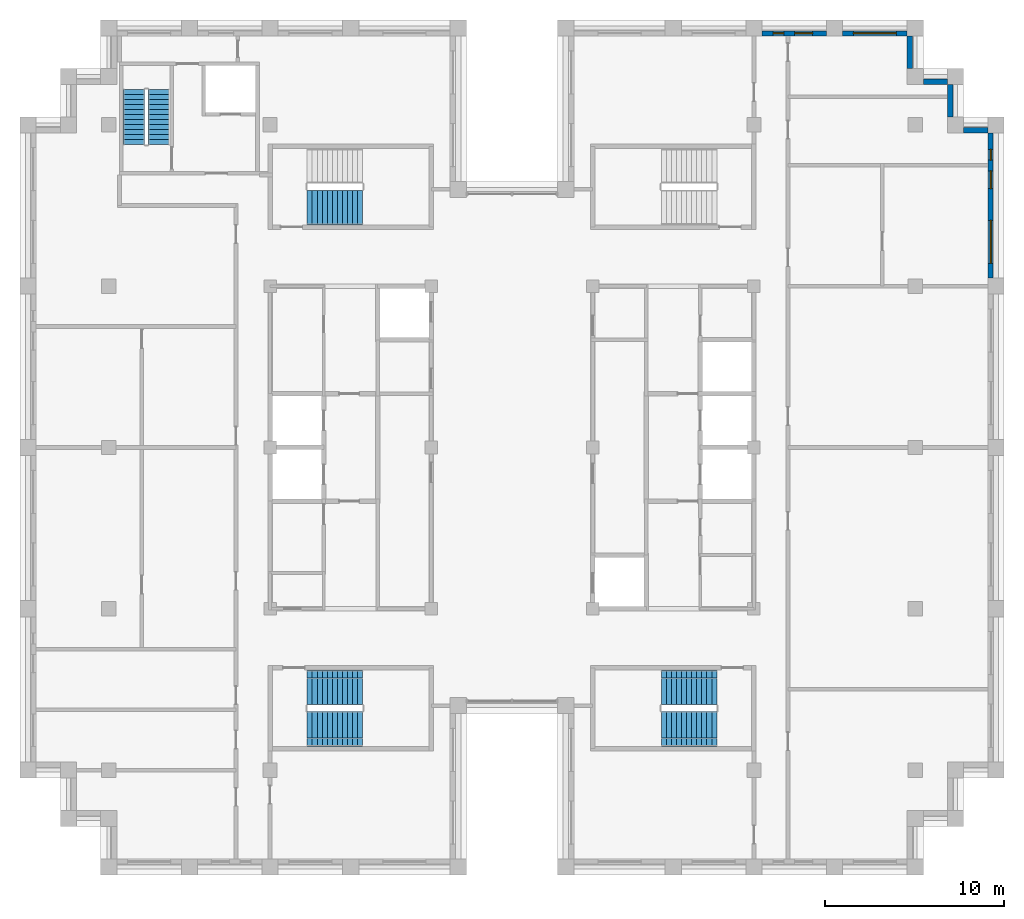
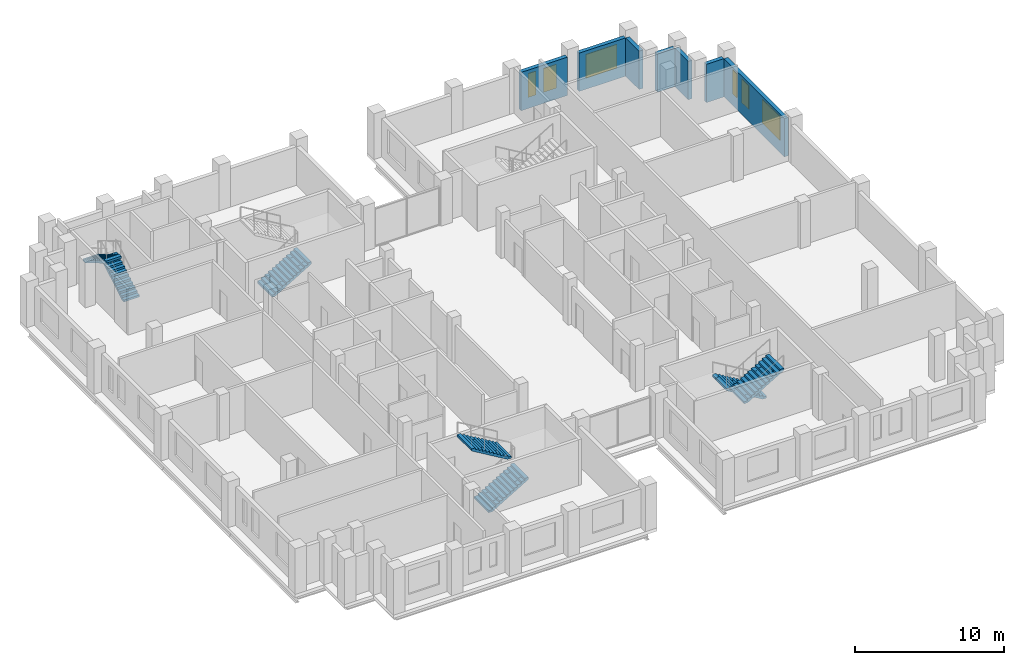
# One storey, part 11 of 13: 7 stair flights, 7 walls, 6 windows, 6 openings, 4 elements without a shape of their own.
"""IFC4 building model written with IfcOpenShell, lengths in metres."""

from ifc_helpers import new_model, si_unit, direction, frame, frame_2d, origin, place, context, subcontext, project, spatial, polyline, rectangle, outline, extrude, material, layer, layer_set, type_object, element, fill, aggregate, save


model = new_model("IFC4")

# Units and contexts
model_context = context("Model", 3, precision=1e-05, world=origin(), true_north=direction((0.0, 1.0)))
body_context = subcontext(model_context, "Body", "Model", "MODEL_VIEW")
ifc_project = project(units=[si_unit("LENGTHUNIT", "METRE"), si_unit("AREAUNIT", "SQUARE_METRE"), si_unit("VOLUMEUNIT", "CUBIC_METRE"), si_unit("PLANEANGLEUNIT", "RADIAN"), si_unit("MASSUNIT", "GRAM", prefix="KILO")], contexts=[model_context])

# Site, building, storey
site_placement = place(None, origin())
site = spatial("IfcSite", under=ifc_project, at=site_placement, CompositionType="ELEMENT")
building_placement = place(site_placement, origin())
building = spatial("IfcBuilding", under=site, at=building_placement, Name="Corbelhall Arena Tower", CompositionType="ELEMENT")
storey_placement = place(building_placement, frame((0.0, 0.0, 308.0)))
storey = spatial("IfcBuildingStorey", under=building, at=storey_placement, Name="L67", CompositionType="ELEMENT", Elevation=308.0)

# Wall, openings, windows
ifc_material_1 = material(Name="Precast concrete C40/50 with granite facing", Category="masonry")
ifc_layer = layer(ifc_material_1, 0.300048828125)
ifc_layer_set = layer_set([ifc_layer], Name="EV-IW1 Infill panel 300")
wall_type = type_object("IfcWallType", Name="EV-IW1 Infill panel 300", PredefinedType="SOLIDWALL", material=ifc_layer_set)
wall_1_placement = place(storey_placement, frame((26.699951171875, 9.449951171875, 0.0), z_axis=(0.0, 0.0, 1.0), x_axis=(0.0, 1.0, 0.0)))
wall_1 = element("IfcWall", 1, at=wall_1_placement, inside=storey, type_object=wall_type, Name="Infill panel IW1", PredefinedType="SOLIDWALL", context=body_context, shape_type="SweptSolid", body=[
    extrude(rectangle(XDim=8.10009765625, YDim=0.300048828125, at=frame_2d((4.050048828125, 0.0))), origin(), (0.0, 0.0, 1.0), 3.139892578125),
])
opening_1_placement = place(wall_1_placement, frame((0.824951171875, 0.0, 0.800048828125)))
opening_1 = element("IfcOpeningElement", 2, at=opening_1_placement, cuts=wall_1, Name="Opening WN1", PredefinedType="OPENING", context=body_context, shape_type="SweptSolid", body=[
    extrude(rectangle(XDim=2.39990234375, YDim=1.949951171875, at=frame_2d((1.199951171875, 0.97509765625))), frame((0.0, 0.14990234375, 0.0), z_axis=(0.0, -1.0, 0.0), x_axis=(1.0, 0.0, 0.0)), (0.0, 0.0, 1.0), 0.300048828125),
])
opening_2_placement = place(wall_1_placement, frame((4.987548828125, 0.0, 0.800048828125)))
opening_2 = element("IfcOpeningElement", 3, at=opening_2_placement, cuts=wall_1, Name="Opening WN6", PredefinedType="OPENING", context=body_context, shape_type="SweptSolid", body=[
    extrude(rectangle(XDim=1.0, YDim=1.949951171875, at=frame_2d((0.5, 0.97509765625))), frame((0.0, 0.14990234375, 0.0), z_axis=(0.0, -1.0, 0.0), x_axis=(1.0, 0.0, 0.0)), (0.0, 0.0, 1.0), 0.300048828125),
])
opening_3_placement = place(wall_1_placement, frame((6.58740234375, 0.0, 0.800048828125)))
opening_3 = element("IfcOpeningElement", 4, at=opening_3_placement, cuts=wall_1, Name="Opening WN5", PredefinedType="OPENING", context=body_context, shape_type="SweptSolid", body=[
    extrude(rectangle(XDim=0.60009765625, YDim=1.949951171875, at=frame_2d((0.300048828125, 0.97509765625))), frame((0.0, 0.14990234375, 0.0), z_axis=(0.0, -1.0, 0.0), x_axis=(1.0, 0.0, 0.0)), (0.0, 0.0, 1.0), 0.300048828125),
])
ifc_material_2 = material(Name="Aluminium black anodised", Category="aluminium")
window_type_1 = type_object("IfcWindowType", Name="EV-WN1 Office window", PartitioningType="SINGLE_PANEL", PredefinedType="WINDOW", material=ifc_material_2)
window_1_placement = place(opening_1_placement, origin())
window_1 = element("IfcWindow", 5, at=window_1_placement, inside=storey, type_object=window_type_1, Name="Window WN1", OverallHeight=1.949951171875, OverallWidth=2.39990234375, PartitioningType="SINGLE_PANEL", PredefinedType="WINDOW", context=body_context, shape_type="SweptSolid", body=[
    extrude(rectangle(XDim=2.39990234375, YDim=1.949951171875, at=frame_2d((1.199951171875, 0.97509765625))), frame((0.0, 0.030029296875, 0.0), z_axis=(0.0, -1.0, 0.0), x_axis=(1.0, 0.0, 0.0)), (0.0, 0.0, 1.0), 0.06005859375),
])
fill(opening_1, window_1)
window_type_2 = type_object("IfcWindowType", Name="EV-WN5 Office window 600", PartitioningType="SINGLE_PANEL", PredefinedType="WINDOW", material=ifc_material_2)
window_2_placement = place(opening_3_placement, origin())
window_2 = element("IfcWindow", 6, at=window_2_placement, inside=storey, type_object=window_type_2, Name="Window WN5", OverallHeight=1.949951171875, OverallWidth=0.60009765625, PartitioningType="SINGLE_PANEL", PredefinedType="WINDOW", context=body_context, shape_type="SweptSolid", body=[
    extrude(rectangle(XDim=0.60009765625, YDim=1.949951171875, at=frame_2d((0.300048828125, 0.97509765625))), frame((0.0, 0.030029296875, 0.0), z_axis=(0.0, -1.0, 0.0), x_axis=(1.0, 0.0, 0.0)), (0.0, 0.0, 1.0), 0.06005859375),
])
fill(opening_3, window_2)
window_type_3 = type_object("IfcWindowType", Name="EV-WN6 Office window 1000", PartitioningType="SINGLE_PANEL", PredefinedType="WINDOW", material=ifc_material_2)
window_3_placement = place(opening_2_placement, origin())
window_3 = element("IfcWindow", 7, at=window_3_placement, inside=storey, type_object=window_type_3, Name="Window WN6", OverallHeight=1.949951171875, OverallWidth=1.0, PartitioningType="SINGLE_PANEL", PredefinedType="WINDOW", context=body_context, shape_type="SweptSolid", body=[
    extrude(rectangle(XDim=1.0, YDim=1.949951171875, at=frame_2d((0.5, 0.97509765625))), frame((0.0, 0.030029296875, 0.0), z_axis=(0.0, -1.0, 0.0), x_axis=(1.0, 0.0, 0.0)), (0.0, 0.0, 1.0), 0.06005859375),
])
fill(opening_2, window_3)

# Walls
wall_2_placement = place(storey_placement, frame((26.550048828125, 17.699951171875, 0.0), z_axis=(0.0, 0.0, 1.0), x_axis=(-1.0, 0.0, 0.0)))
element("IfcWall", 8, at=wall_2_placement, inside=storey, type_object=wall_type, Name="Infill panel IW1", PredefinedType="SOLIDWALL", context=body_context, shape_type="SweptSolid", body=[
    extrude(rectangle(XDim=1.35009765625, YDim=0.300048828125, at=frame_2d((0.675048828125, 0.0))), origin(), (0.0, 0.0, 1.0), 3.139892578125),
])
wall_3_placement = place(storey_placement, frame((24.449951171875, 18.449951171875, 0.0), z_axis=(0.0, 0.0, 1.0), x_axis=(0.0, 1.0, 0.0)))
element("IfcWall", 9, at=wall_3_placement, inside=storey, type_object=wall_type, Name="Infill panel IW1", PredefinedType="SOLIDWALL", context=body_context, shape_type="SweptSolid", body=[
    extrude(rectangle(XDim=1.800048828125, YDim=0.300048828125, at=frame_2d((0.89990234375, 0.0))), origin(), (0.0, 0.0, 1.0), 3.139892578125),
])
wall_4_placement = place(storey_placement, frame((24.300048828125, 20.39990234375, 0.0), z_axis=(0.0, 0.0, 1.0), x_axis=(-1.0, 0.0, 0.0)))
element("IfcWall", 10, at=wall_4_placement, inside=storey, type_object=wall_type, Name="Infill panel IW1", PredefinedType="SOLIDWALL", context=body_context, shape_type="SweptSolid", body=[
    extrude(rectangle(XDim=1.35009765625, YDim=0.300048828125, at=frame_2d((0.675048828125, 0.0))), origin(), (0.0, 0.0, 1.0), 3.139892578125),
])
wall_5_placement = place(storey_placement, frame((22.199951171875, 21.14990234375, 0.0), z_axis=(0.0, 0.0, 1.0), x_axis=(0.0, 1.0, 0.0)))
element("IfcWall", 11, at=wall_5_placement, inside=storey, type_object=wall_type, Name="Infill panel IW1", PredefinedType="SOLIDWALL", context=body_context, shape_type="SweptSolid", body=[
    extrude(rectangle(XDim=1.800048828125, YDim=0.300048828125, at=frame_2d((0.89990234375, 0.0))), origin(), (0.0, 0.0, 1.0), 3.139892578125),
])

# Wall, opening, window
wall_6_placement = place(storey_placement, frame((22.050048828125, 23.10009765625, 0.0), z_axis=(0.0, 0.0, 1.0), x_axis=(-1.0, 0.0, 0.0)))
wall_6 = element("IfcWall", 12, at=wall_6_placement, inside=storey, type_object=wall_type, Name="Infill panel IW1", PredefinedType="SOLIDWALL", context=body_context, shape_type="SweptSolid", body=[
    extrude(rectangle(XDim=3.60009765625, YDim=0.300048828125, at=frame_2d((1.800048828125, 0.0))), origin(), (0.0, 0.0, 1.0), 3.139892578125),
])
opening_4_placement = place(wall_6_placement, frame((0.60009765625, 0.0, 0.800048828125)))
opening_4 = element("IfcOpeningElement", 13, at=opening_4_placement, cuts=wall_6, Name="Opening WN1", PredefinedType="OPENING", context=body_context, shape_type="SweptSolid", body=[
    extrude(rectangle(XDim=2.39990234375, YDim=1.949951171875, at=frame_2d((1.199951171875, 0.97509765625))), frame((0.0, 0.14990234375, 0.0), z_axis=(0.0, -1.0, 0.0), x_axis=(1.0, 0.0, 0.0)), (0.0, 0.0, 1.0), 0.300048828125),
])
window_4_placement = place(opening_4_placement, origin())
window_4 = element("IfcWindow", 14, at=window_4_placement, inside=storey, type_object=window_type_1, Name="Window WN1", OverallHeight=1.949951171875, OverallWidth=2.39990234375, PartitioningType="SINGLE_PANEL", PredefinedType="WINDOW", context=body_context, shape_type="SweptSolid", body=[
    extrude(rectangle(XDim=2.39990234375, YDim=1.949951171875, at=frame_2d((1.199951171875, 0.97509765625))), frame((0.0, 0.030029296875, 0.0), z_axis=(0.0, -1.0, 0.0), x_axis=(1.0, 0.0, 0.0)), (0.0, 0.0, 1.0), 0.06005859375),
])
fill(opening_4, window_4)

# Wall, openings, windows
wall_7_placement = place(storey_placement, frame((17.550048828125, 23.10009765625, 0.0), z_axis=(0.0, 0.0, 1.0), x_axis=(-1.0, 0.0, 0.0)))
wall_7 = element("IfcWall", 15, at=wall_7_placement, inside=storey, type_object=wall_type, Name="Infill panel IW1", PredefinedType="SOLIDWALL", context=body_context, shape_type="SweptSolid", body=[
    extrude(rectangle(XDim=3.60009765625, YDim=0.300048828125, at=frame_2d((1.800048828125, 0.0))), origin(), (0.0, 0.0, 1.0), 3.139892578125),
])
opening_5_placement = place(wall_7_placement, frame((0.77490234375, 0.0, 0.800048828125)))
opening_5 = element("IfcOpeningElement", 16, at=opening_5_placement, cuts=wall_7, Name="Opening WN6", PredefinedType="OPENING", context=body_context, shape_type="SweptSolid", body=[
    extrude(rectangle(XDim=1.0, YDim=1.949951171875, at=frame_2d((0.5, 0.97509765625))), frame((0.0, 0.14990234375, 0.0), z_axis=(0.0, -1.0, 0.0), x_axis=(1.0, 0.0, 0.0)), (0.0, 0.0, 1.0), 0.300048828125),
])
opening_6_placement = place(wall_7_placement, frame((2.375, 0.0, 0.800048828125)))
opening_6 = element("IfcOpeningElement", 17, at=opening_6_placement, cuts=wall_7, Name="Opening WN5", PredefinedType="OPENING", context=body_context, shape_type="SweptSolid", body=[
    extrude(rectangle(XDim=0.60009765625, YDim=1.949951171875, at=frame_2d((0.300048828125, 0.97509765625))), frame((0.0, 0.14990234375, 0.0), z_axis=(0.0, -1.0, 0.0), x_axis=(1.0, 0.0, 0.0)), (0.0, 0.0, 1.0), 0.300048828125),
])
window_5_placement = place(opening_6_placement, origin())
window_5 = element("IfcWindow", 18, at=window_5_placement, inside=storey, type_object=window_type_2, Name="Window WN5", OverallHeight=1.949951171875, OverallWidth=0.60009765625, PartitioningType="SINGLE_PANEL", PredefinedType="WINDOW", context=body_context, shape_type="SweptSolid", body=[
    extrude(rectangle(XDim=0.60009765625, YDim=1.949951171875, at=frame_2d((0.300048828125, 0.97509765625))), frame((0.0, 0.030029296875, 0.0), z_axis=(0.0, -1.0, 0.0), x_axis=(1.0, 0.0, 0.0)), (0.0, 0.0, 1.0), 0.06005859375),
])
fill(opening_6, window_5)
window_6_placement = place(opening_5_placement, origin())
window_6 = element("IfcWindow", 19, at=window_6_placement, inside=storey, type_object=window_type_3, Name="Window WN6", OverallHeight=1.949951171875, OverallWidth=1.0, PartitioningType="SINGLE_PANEL", PredefinedType="WINDOW", context=body_context, shape_type="SweptSolid", body=[
    extrude(rectangle(XDim=1.0, YDim=1.949951171875, at=frame_2d((0.5, 0.97509765625))), frame((0.0, 0.030029296875, 0.0), z_axis=(0.0, -1.0, 0.0), x_axis=(1.0, 0.0, 0.0)), (0.0, 0.0, 1.0), 0.06005859375),
])
fill(opening_5, window_6)

# Stair, stair flight
ifc_material_3 = material(Name="Concrete C40/50", Category="concrete")
stair_type = type_object("IfcStairType", Name="IN-ST-TOWER", PredefinedType="HALF_TURN_STAIR", material=ifc_material_3)
stair_1_placement = place(storey_placement, origin())
stair_1 = element("IfcStair", 20, at=stair_1_placement, inside=storey, type_object=stair_type, Name="L67 Exit stair ST1", PredefinedType="HALF_TURN_STAIR")
stair_flight_type = type_object("IfcStairFlightType", Name="IN-SFL-RC", PredefinedType="STRAIGHT", material=ifc_material_3)
stair_flight_1_placement = place(storey_placement, frame((-11.425048828125, 13.39990234375, 0.0), z_axis=(0.0, 0.0, 1.0), x_axis=(1.0, 0.0, 0.0)))
stair_flight_1 = element("IfcStairFlight", 21, at=stair_flight_1_placement, type_object=stair_flight_type, Name="ST1 flight 1", NumberOfRisers=12, NumberOfTreads=11, PredefinedType="STRAIGHT", RiserHeight=0.166666667, TreadLength=0.28, context=body_context, shape_type="SweptSolid", body=[
    extrude(outline(polyline([(0.0, 0.0), (0.0, 0.166748046875), (0.280029296875, 0.166748046875), (0.280029296875, 0.333251953125), (0.56005859375, 0.333251953125), (0.56005859375, 0.5), (0.840087890625, 0.5), (0.840087890625, 0.666748046875), (1.1201171875, 0.666748046875), (1.1201171875, 0.833251953125), (1.39990234375, 0.833251953125), (1.39990234375, 1.0), (1.679931640625, 1.0), (1.679931640625, 1.166748046875), (1.9599609375, 1.166748046875), (1.9599609375, 1.333251953125), (2.239990234375, 1.333251953125), (2.239990234375, 1.5), (2.52001953125, 1.5), (2.52001953125, 1.666748046875), (2.800048828125, 1.666748046875), (2.800048828125, 1.833251953125), (3.080078125, 1.833251953125), (3.080078125, 2.0), (3.080078125, 1.658935546875), (0.29296875, 0.0), (0.0, 0.0)])), frame((0.0, 0.97509765625, 0.0), z_axis=(0.0, -1.0, 0.0), x_axis=(1.0, 0.0, 0.0)), (0.0, 0.0, 1.0), 0.449951171875),
    extrude(outline(polyline([(0.0, 0.0), (0.0, 0.166748046875), (0.280029296875, 0.166748046875), (0.280029296875, 0.333251953125), (0.56005859375, 0.333251953125), (0.56005859375, 0.5), (0.840087890625, 0.5), (0.840087890625, 0.666748046875), (1.1201171875, 0.666748046875), (1.1201171875, 0.833251953125), (1.39990234375, 0.833251953125), (1.39990234375, 1.0), (1.679931640625, 1.0), (1.679931640625, 1.166748046875), (1.9599609375, 1.166748046875), (1.9599609375, 1.333251953125), (2.239990234375, 1.333251953125), (2.239990234375, 1.5), (2.52001953125, 1.5), (2.52001953125, 1.666748046875), (2.800048828125, 1.666748046875), (2.800048828125, 1.833251953125), (3.080078125, 1.833251953125), (3.080078125, 2.0), (3.080078125, 1.658935546875), (0.29296875, 0.0), (0.0, 0.0)])), frame((0.0, 0.52099609375, 0.0), z_axis=(0.0, -1.0, 0.0), x_axis=(1.0, 0.0, 0.0)), (0.0, 0.0, 1.0), 1.0419921875),
    extrude(outline(polyline([(0.0, 0.0), (0.0, 0.166748046875), (0.280029296875, 0.166748046875), (0.280029296875, 0.333251953125), (0.56005859375, 0.333251953125), (0.56005859375, 0.5), (0.840087890625, 0.5), (0.840087890625, 0.666748046875), (1.1201171875, 0.666748046875), (1.1201171875, 0.833251953125), (1.39990234375, 0.833251953125), (1.39990234375, 1.0), (1.679931640625, 1.0), (1.679931640625, 1.166748046875), (1.9599609375, 1.166748046875), (1.9599609375, 1.333251953125), (2.239990234375, 1.333251953125), (2.239990234375, 1.5), (2.52001953125, 1.5), (2.52001953125, 1.666748046875), (2.800048828125, 1.666748046875), (2.800048828125, 1.833251953125), (3.080078125, 1.833251953125), (3.080078125, 2.0), (3.080078125, 1.658935546875), (0.29296875, 0.0), (0.0, 0.0)])), frame((0.0, -0.52490234375, 0.0), z_axis=(0.0, -1.0, 0.0), x_axis=(1.0, 0.0, 0.0)), (0.0, 0.0, 1.0), 0.449951171875),
])
aggregate(stair_1, [stair_flight_1])

# Stair, stair flights
stair_2_placement = place(storey_placement, origin())
stair_2 = element("IfcStair", 22, at=stair_2_placement, inside=storey, type_object=stair_type, Name="L67 Exit stair ST2", PredefinedType="HALF_TURN_STAIR")
stair_flight_2_placement = place(storey_placement, frame((-11.425048828125, -15.699951171875, 0.0), z_axis=(0.0, 0.0, 1.0), x_axis=(1.0, 0.0, 0.0)))
stair_flight_2 = element("IfcStairFlight", 23, at=stair_flight_2_placement, type_object=stair_flight_type, Name="ST2 flight 1", NumberOfRisers=12, NumberOfTreads=11, PredefinedType="STRAIGHT", RiserHeight=0.166666667, TreadLength=0.28, context=body_context, shape_type="SweptSolid", body=[
    extrude(outline(polyline([(0.0, 0.0), (0.0, 0.166748046875), (0.280029296875, 0.166748046875), (0.280029296875, 0.333251953125), (0.56005859375, 0.333251953125), (0.56005859375, 0.5), (0.840087890625, 0.5), (0.840087890625, 0.666748046875), (1.1201171875, 0.666748046875), (1.1201171875, 0.833251953125), (1.39990234375, 0.833251953125), (1.39990234375, 1.0), (1.679931640625, 1.0), (1.679931640625, 1.166748046875), (1.9599609375, 1.166748046875), (1.9599609375, 1.333251953125), (2.239990234375, 1.333251953125), (2.239990234375, 1.5), (2.52001953125, 1.5), (2.52001953125, 1.666748046875), (2.800048828125, 1.666748046875), (2.800048828125, 1.833251953125), (3.080078125, 1.833251953125), (3.080078125, 2.0), (3.080078125, 1.658935546875), (0.29296875, 0.0), (0.0, 0.0)])), frame((0.0, 0.97509765625, 0.0), z_axis=(0.0, -1.0, 0.0), x_axis=(1.0, 0.0, 0.0)), (0.0, 0.0, 1.0), 0.449951171875),
    extrude(outline(polyline([(0.0, 0.0), (0.0, 0.166748046875), (0.280029296875, 0.166748046875), (0.280029296875, 0.333251953125), (0.56005859375, 0.333251953125), (0.56005859375, 0.5), (0.840087890625, 0.5), (0.840087890625, 0.666748046875), (1.1201171875, 0.666748046875), (1.1201171875, 0.833251953125), (1.39990234375, 0.833251953125), (1.39990234375, 1.0), (1.679931640625, 1.0), (1.679931640625, 1.166748046875), (1.9599609375, 1.166748046875), (1.9599609375, 1.333251953125), (2.239990234375, 1.333251953125), (2.239990234375, 1.5), (2.52001953125, 1.5), (2.52001953125, 1.666748046875), (2.800048828125, 1.666748046875), (2.800048828125, 1.833251953125), (3.080078125, 1.833251953125), (3.080078125, 2.0), (3.080078125, 1.658935546875), (0.29296875, 0.0), (0.0, 0.0)])), frame((0.0, 0.52099609375, 0.0), z_axis=(0.0, -1.0, 0.0), x_axis=(1.0, 0.0, 0.0)), (0.0, 0.0, 1.0), 1.0419921875),
    extrude(outline(polyline([(0.0, 0.0), (0.0, 0.166748046875), (0.280029296875, 0.166748046875), (0.280029296875, 0.333251953125), (0.56005859375, 0.333251953125), (0.56005859375, 0.5), (0.840087890625, 0.5), (0.840087890625, 0.666748046875), (1.1201171875, 0.666748046875), (1.1201171875, 0.833251953125), (1.39990234375, 0.833251953125), (1.39990234375, 1.0), (1.679931640625, 1.0), (1.679931640625, 1.166748046875), (1.9599609375, 1.166748046875), (1.9599609375, 1.333251953125), (2.239990234375, 1.333251953125), (2.239990234375, 1.5), (2.52001953125, 1.5), (2.52001953125, 1.666748046875), (2.800048828125, 1.666748046875), (2.800048828125, 1.833251953125), (3.080078125, 1.833251953125), (3.080078125, 2.0), (3.080078125, 1.658935546875), (0.29296875, 0.0), (0.0, 0.0)])), frame((0.0, -0.52490234375, 0.0), z_axis=(0.0, -1.0, 0.0), x_axis=(1.0, 0.0, 0.0)), (0.0, 0.0, 1.0), 0.449951171875),
])
stair_flight_3_placement = place(storey_placement, frame((-8.344970703125, -13.39990234375, 2.0), z_axis=(0.0, 0.0, 1.0), x_axis=(-1.0, 0.0, 0.0)))
stair_flight_3 = element("IfcStairFlight", 24, at=stair_flight_3_placement, type_object=stair_flight_type, Name="ST2 flight 2", NumberOfRisers=12, NumberOfTreads=11, PredefinedType="STRAIGHT", RiserHeight=0.166666667, TreadLength=0.28, context=body_context, shape_type="SweptSolid", body=[
    extrude(outline(polyline([(0.0, 0.0), (0.0, 0.166748046875), (0.280029296875, 0.166748046875), (0.280029296875, 0.333251953125), (0.56005859375, 0.333251953125), (0.56005859375, 0.5), (0.840087890625, 0.5), (0.840087890625, 0.666748046875), (1.1201171875, 0.666748046875), (1.1201171875, 0.833251953125), (1.39990234375, 0.833251953125), (1.39990234375, 1.0), (1.679931640625, 1.0), (1.679931640625, 1.166748046875), (1.9599609375, 1.166748046875), (1.9599609375, 1.333251953125), (2.239990234375, 1.333251953125), (2.239990234375, 1.5), (2.52001953125, 1.5), (2.52001953125, 1.666748046875), (2.800048828125, 1.666748046875), (2.800048828125, 1.833251953125), (3.080078125, 1.833251953125), (3.080078125, 2.0), (3.080078125, 1.658935546875), (0.29296875, 0.0), (0.0, 0.0)])), frame((0.0, 0.97509765625, 0.0), z_axis=(0.0, -1.0, 0.0), x_axis=(1.0, 0.0, 0.0)), (0.0, 0.0, 1.0), 0.449951171875),
    extrude(outline(polyline([(0.0, 0.0), (0.0, 0.166748046875), (0.280029296875, 0.166748046875), (0.280029296875, 0.333251953125), (0.56005859375, 0.333251953125), (0.56005859375, 0.5), (0.840087890625, 0.5), (0.840087890625, 0.666748046875), (1.1201171875, 0.666748046875), (1.1201171875, 0.833251953125), (1.39990234375, 0.833251953125), (1.39990234375, 1.0), (1.679931640625, 1.0), (1.679931640625, 1.166748046875), (1.9599609375, 1.166748046875), (1.9599609375, 1.333251953125), (2.239990234375, 1.333251953125), (2.239990234375, 1.5), (2.52001953125, 1.5), (2.52001953125, 1.666748046875), (2.800048828125, 1.666748046875), (2.800048828125, 1.833251953125), (3.080078125, 1.833251953125), (3.080078125, 2.0), (3.080078125, 1.658935546875), (0.29296875, 0.0), (0.0, 0.0)])), frame((0.0, 0.52099609375, 0.0), z_axis=(0.0, -1.0, 0.0), x_axis=(1.0, 0.0, 0.0)), (0.0, 0.0, 1.0), 1.0419921875),
    extrude(outline(polyline([(0.0, 0.0), (0.0, 0.166748046875), (0.280029296875, 0.166748046875), (0.280029296875, 0.333251953125), (0.56005859375, 0.333251953125), (0.56005859375, 0.5), (0.840087890625, 0.5), (0.840087890625, 0.666748046875), (1.1201171875, 0.666748046875), (1.1201171875, 0.833251953125), (1.39990234375, 0.833251953125), (1.39990234375, 1.0), (1.679931640625, 1.0), (1.679931640625, 1.166748046875), (1.9599609375, 1.166748046875), (1.9599609375, 1.333251953125), (2.239990234375, 1.333251953125), (2.239990234375, 1.5), (2.52001953125, 1.5), (2.52001953125, 1.666748046875), (2.800048828125, 1.666748046875), (2.800048828125, 1.833251953125), (3.080078125, 1.833251953125), (3.080078125, 2.0), (3.080078125, 1.658935546875), (0.29296875, 0.0), (0.0, 0.0)])), frame((0.0, -0.52490234375, 0.0), z_axis=(0.0, -1.0, 0.0), x_axis=(1.0, 0.0, 0.0)), (0.0, 0.0, 1.0), 0.449951171875),
])
aggregate(stair_2, [stair_flight_2, stair_flight_3])

stair_3_placement = place(storey_placement, origin())
stair_3 = element("IfcStair", 25, at=stair_3_placement, inside=storey, type_object=stair_type, Name="L67 Exit stair ST4", PredefinedType="HALF_TURN_STAIR")
stair_flight_4_placement = place(storey_placement, frame((11.425048828125, -13.39990234375, 0.0), z_axis=(0.0, 0.0, 1.0), x_axis=(-1.0, 0.0, 0.0)))
stair_flight_4 = element("IfcStairFlight", 26, at=stair_flight_4_placement, type_object=stair_flight_type, Name="ST4 flight 1", NumberOfRisers=12, NumberOfTreads=11, PredefinedType="STRAIGHT", RiserHeight=0.166666667, TreadLength=0.28, context=body_context, shape_type="SweptSolid", body=[
    extrude(outline(polyline([(0.0, 0.0), (0.0, 0.166748046875), (0.280029296875, 0.166748046875), (0.280029296875, 0.333251953125), (0.56005859375, 0.333251953125), (0.56005859375, 0.5), (0.840087890625, 0.5), (0.840087890625, 0.666748046875), (1.1201171875, 0.666748046875), (1.1201171875, 0.833251953125), (1.39990234375, 0.833251953125), (1.39990234375, 1.0), (1.679931640625, 1.0), (1.679931640625, 1.166748046875), (1.9599609375, 1.166748046875), (1.9599609375, 1.333251953125), (2.239990234375, 1.333251953125), (2.239990234375, 1.5), (2.52001953125, 1.5), (2.52001953125, 1.666748046875), (2.800048828125, 1.666748046875), (2.800048828125, 1.833251953125), (3.080078125, 1.833251953125), (3.080078125, 2.0), (3.080078125, 1.658935546875), (0.29296875, 0.0), (0.0, 0.0)])), frame((0.0, 0.97509765625, 0.0), z_axis=(0.0, -1.0, 0.0), x_axis=(1.0, 0.0, 0.0)), (0.0, 0.0, 1.0), 0.449951171875),
    extrude(outline(polyline([(0.0, 0.0), (0.0, 0.166748046875), (0.280029296875, 0.166748046875), (0.280029296875, 0.333251953125), (0.56005859375, 0.333251953125), (0.56005859375, 0.5), (0.840087890625, 0.5), (0.840087890625, 0.666748046875), (1.1201171875, 0.666748046875), (1.1201171875, 0.833251953125), (1.39990234375, 0.833251953125), (1.39990234375, 1.0), (1.679931640625, 1.0), (1.679931640625, 1.166748046875), (1.9599609375, 1.166748046875), (1.9599609375, 1.333251953125), (2.239990234375, 1.333251953125), (2.239990234375, 1.5), (2.52001953125, 1.5), (2.52001953125, 1.666748046875), (2.800048828125, 1.666748046875), (2.800048828125, 1.833251953125), (3.080078125, 1.833251953125), (3.080078125, 2.0), (3.080078125, 1.658935546875), (0.29296875, 0.0), (0.0, 0.0)])), frame((0.0, 0.52099609375, 0.0), z_axis=(0.0, -1.0, 0.0), x_axis=(1.0, 0.0, 0.0)), (0.0, 0.0, 1.0), 1.0419921875),
    extrude(outline(polyline([(0.0, 0.0), (0.0, 0.166748046875), (0.280029296875, 0.166748046875), (0.280029296875, 0.333251953125), (0.56005859375, 0.333251953125), (0.56005859375, 0.5), (0.840087890625, 0.5), (0.840087890625, 0.666748046875), (1.1201171875, 0.666748046875), (1.1201171875, 0.833251953125), (1.39990234375, 0.833251953125), (1.39990234375, 1.0), (1.679931640625, 1.0), (1.679931640625, 1.166748046875), (1.9599609375, 1.166748046875), (1.9599609375, 1.333251953125), (2.239990234375, 1.333251953125), (2.239990234375, 1.5), (2.52001953125, 1.5), (2.52001953125, 1.666748046875), (2.800048828125, 1.666748046875), (2.800048828125, 1.833251953125), (3.080078125, 1.833251953125), (3.080078125, 2.0), (3.080078125, 1.658935546875), (0.29296875, 0.0), (0.0, 0.0)])), frame((0.0, -0.52490234375, 0.0), z_axis=(0.0, -1.0, 0.0), x_axis=(1.0, 0.0, 0.0)), (0.0, 0.0, 1.0), 0.449951171875),
])
stair_flight_5_placement = place(storey_placement, frame((8.344970703125, -15.699951171875, 2.0), z_axis=(0.0, 0.0, 1.0), x_axis=(1.0, 0.0, 0.0)))
stair_flight_5 = element("IfcStairFlight", 27, at=stair_flight_5_placement, type_object=stair_flight_type, Name="ST4 flight 2", NumberOfRisers=12, NumberOfTreads=11, PredefinedType="STRAIGHT", RiserHeight=0.166666667, TreadLength=0.28, context=body_context, shape_type="SweptSolid", body=[
    extrude(outline(polyline([(0.0, 0.0), (0.0, 0.166748046875), (0.280029296875, 0.166748046875), (0.280029296875, 0.333251953125), (0.56005859375, 0.333251953125), (0.56005859375, 0.5), (0.840087890625, 0.5), (0.840087890625, 0.666748046875), (1.1201171875, 0.666748046875), (1.1201171875, 0.833251953125), (1.39990234375, 0.833251953125), (1.39990234375, 1.0), (1.679931640625, 1.0), (1.679931640625, 1.166748046875), (1.9599609375, 1.166748046875), (1.9599609375, 1.333251953125), (2.239990234375, 1.333251953125), (2.239990234375, 1.5), (2.52001953125, 1.5), (2.52001953125, 1.666748046875), (2.800048828125, 1.666748046875), (2.800048828125, 1.833251953125), (3.080078125, 1.833251953125), (3.080078125, 2.0), (3.080078125, 1.658935546875), (0.29296875, 0.0), (0.0, 0.0)])), frame((0.0, 0.97509765625, 0.0), z_axis=(0.0, -1.0, 0.0), x_axis=(1.0, 0.0, 0.0)), (0.0, 0.0, 1.0), 0.449951171875),
    extrude(outline(polyline([(0.0, 0.0), (0.0, 0.166748046875), (0.280029296875, 0.166748046875), (0.280029296875, 0.333251953125), (0.56005859375, 0.333251953125), (0.56005859375, 0.5), (0.840087890625, 0.5), (0.840087890625, 0.666748046875), (1.1201171875, 0.666748046875), (1.1201171875, 0.833251953125), (1.39990234375, 0.833251953125), (1.39990234375, 1.0), (1.679931640625, 1.0), (1.679931640625, 1.166748046875), (1.9599609375, 1.166748046875), (1.9599609375, 1.333251953125), (2.239990234375, 1.333251953125), (2.239990234375, 1.5), (2.52001953125, 1.5), (2.52001953125, 1.666748046875), (2.800048828125, 1.666748046875), (2.800048828125, 1.833251953125), (3.080078125, 1.833251953125), (3.080078125, 2.0), (3.080078125, 1.658935546875), (0.29296875, 0.0), (0.0, 0.0)])), frame((0.0, 0.52099609375, 0.0), z_axis=(0.0, -1.0, 0.0), x_axis=(1.0, 0.0, 0.0)), (0.0, 0.0, 1.0), 1.0419921875),
    extrude(outline(polyline([(0.0, 0.0), (0.0, 0.166748046875), (0.280029296875, 0.166748046875), (0.280029296875, 0.333251953125), (0.56005859375, 0.333251953125), (0.56005859375, 0.5), (0.840087890625, 0.5), (0.840087890625, 0.666748046875), (1.1201171875, 0.666748046875), (1.1201171875, 0.833251953125), (1.39990234375, 0.833251953125), (1.39990234375, 1.0), (1.679931640625, 1.0), (1.679931640625, 1.166748046875), (1.9599609375, 1.166748046875), (1.9599609375, 1.333251953125), (2.239990234375, 1.333251953125), (2.239990234375, 1.5), (2.52001953125, 1.5), (2.52001953125, 1.666748046875), (2.800048828125, 1.666748046875), (2.800048828125, 1.833251953125), (3.080078125, 1.833251953125), (3.080078125, 2.0), (3.080078125, 1.658935546875), (0.29296875, 0.0), (0.0, 0.0)])), frame((0.0, -0.52490234375, 0.0), z_axis=(0.0, -1.0, 0.0), x_axis=(1.0, 0.0, 0.0)), (0.0, 0.0, 1.0), 0.449951171875),
])
aggregate(stair_3, [stair_flight_4, stair_flight_5])

stair_4_placement = place(storey_placement, origin())
stair_4 = element("IfcStair", 28, at=stair_4_placement, inside=storey, type_object=stair_type, Name="L67 Exit stair ST5", PredefinedType="HALF_TURN_STAIR")
stair_flight_6_placement = place(storey_placement, frame((-19.695068359375, 16.89990234375, 0.0), z_axis=(0.0, 0.0, 1.0), x_axis=(0.0, 1.0, 0.0)))
stair_flight_6 = element("IfcStairFlight", 29, at=stair_flight_6_placement, type_object=stair_flight_type, Name="ST5 flight 1", NumberOfRisers=12, NumberOfTreads=11, PredefinedType="STRAIGHT", RiserHeight=0.166666667, TreadLength=0.28, context=body_context, shape_type="SweptSolid", body=[
    extrude(outline(polyline([(0.0, 0.0), (0.0, 0.166748046875), (0.280029296875, 0.166748046875), (0.280029296875, 0.333251953125), (0.56005859375, 0.333251953125), (0.56005859375, 0.5), (0.840087890625, 0.5), (0.840087890625, 0.666748046875), (1.1201171875, 0.666748046875), (1.1201171875, 0.833251953125), (1.39990234375, 0.833251953125), (1.39990234375, 1.0), (1.679931640625, 1.0), (1.679931640625, 1.166748046875), (1.9599609375, 1.166748046875), (1.9599609375, 1.333251953125), (2.239990234375, 1.333251953125), (2.239990234375, 1.5), (2.52001953125, 1.5), (2.52001953125, 1.666748046875), (2.800048828125, 1.666748046875), (2.800048828125, 1.833251953125), (3.080078125, 1.833251953125), (3.080078125, 2.0), (3.080078125, 1.658935546875), (0.29296875, 0.0), (0.0, 0.0)])), frame((0.0, 0.60009765625, 0.0), z_axis=(0.0, -1.0, 0.0), x_axis=(1.0, 0.0, 0.0)), (0.0, 0.0, 1.0), 1.199951171875),
])
stair_flight_7_placement = place(storey_placement, frame((-21.094970703125, 19.97998046875, 2.0), z_axis=(0.0, 0.0, 1.0), x_axis=(0.0, -1.0, 0.0)))
stair_flight_7 = element("IfcStairFlight", 30, at=stair_flight_7_placement, type_object=stair_flight_type, Name="ST5 flight 2", NumberOfRisers=12, NumberOfTreads=11, PredefinedType="STRAIGHT", RiserHeight=0.166666667, TreadLength=0.28, context=body_context, shape_type="SweptSolid", body=[
    extrude(outline(polyline([(0.0, 0.0), (0.0, 0.166748046875), (0.280029296875, 0.166748046875), (0.280029296875, 0.333251953125), (0.56005859375, 0.333251953125), (0.56005859375, 0.5), (0.840087890625, 0.5), (0.840087890625, 0.666748046875), (1.1201171875, 0.666748046875), (1.1201171875, 0.833251953125), (1.39990234375, 0.833251953125), (1.39990234375, 1.0), (1.679931640625, 1.0), (1.679931640625, 1.166748046875), (1.9599609375, 1.166748046875), (1.9599609375, 1.333251953125), (2.239990234375, 1.333251953125), (2.239990234375, 1.5), (2.52001953125, 1.5), (2.52001953125, 1.666748046875), (2.800048828125, 1.666748046875), (2.800048828125, 1.833251953125), (3.080078125, 1.833251953125), (3.080078125, 2.0), (3.080078125, 1.658935546875), (0.29296875, 0.0), (0.0, 0.0)])), frame((0.0, 0.60009765625, 0.0), z_axis=(0.0, -1.0, 0.0), x_axis=(1.0, 0.0, 0.0)), (0.0, 0.0, 1.0), 1.199951171875),
])
aggregate(stair_4, [stair_flight_6, stair_flight_7])

save(model, "model.ifc")
